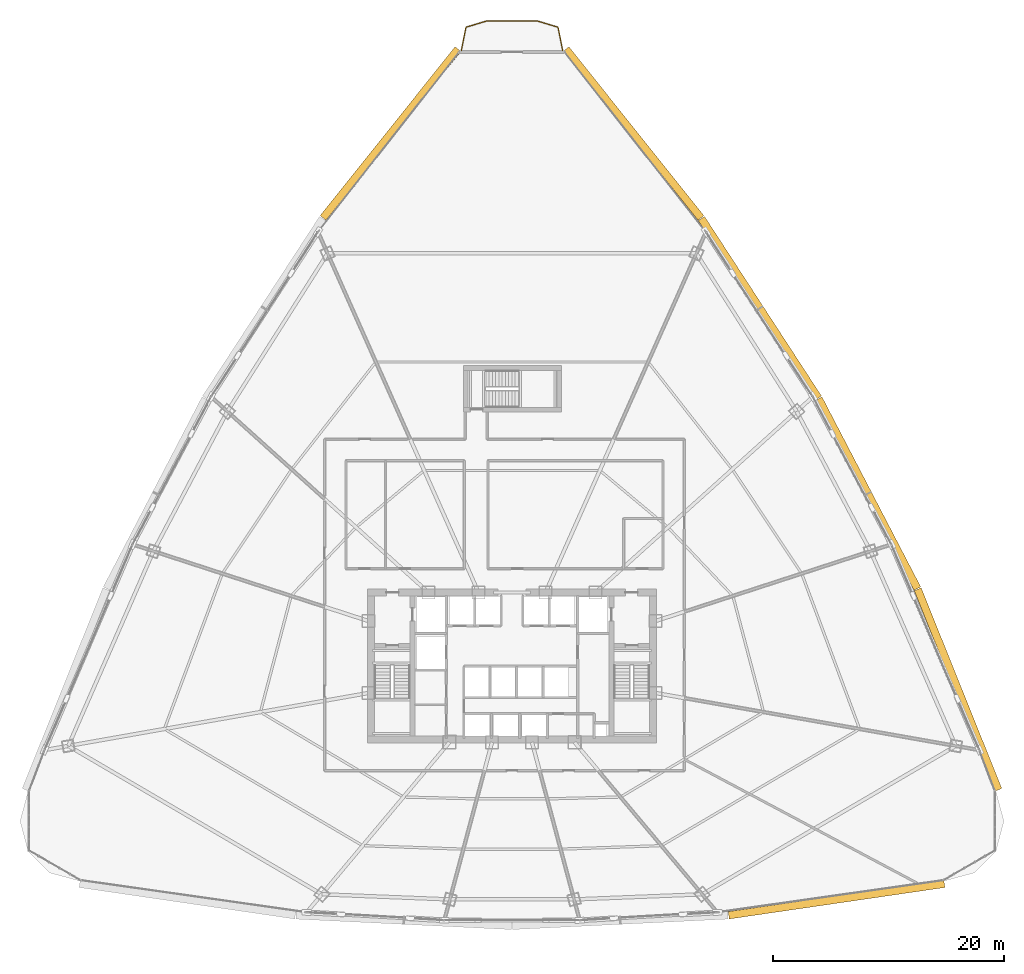
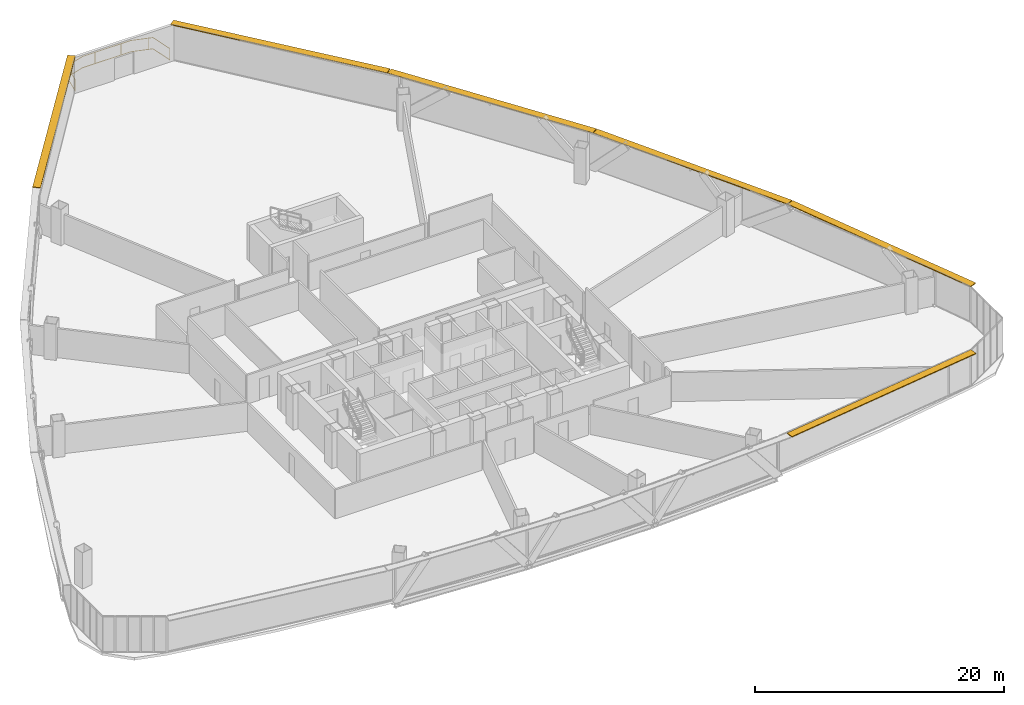
# One storey, part 39 of 39: 6 shading devices, 1 railing.
"""IFC4 building model written with IfcOpenShell, lengths in metres."""

import ifcopenshell
import ifcopenshell.guid

model = None  # the IFC model being written
_history = None  # IfcOwnerHistory: only IFC2X3 demands one
_inside = {}  # id of a spatial element -> (the spatial element, [elements in it])
_under = {}  # id of a project, library or spatial element -> (it, [spatial elements below it])
_declared = {}  # id of a project -> (the project, [libraries it declares])
_typed = {}  # id of a type object -> (the type object, [elements of that type])
_made_of = {}  # id of a material, layer set ... -> (it, [elements and type objects made of it])


def new_model(schema):
    """Start an empty IFC model of exactly this schema.

    Asked for "IFC4X3", IfcOpenShell would pick the latest addendum, in which some entities
    have other attributes; the version numbers below select the first issue.
    IFC2X3 requires an IfcOwnerHistory on every rooted entity: one is made here for all.
    """
    global model, _history
    if schema == "IFC4X3":
        model = ifcopenshell.file(schema_version=(4, 3, 0, 0))
    else:
        model = ifcopenshell.file(schema=schema)
    _inside.clear()
    _under.clear()
    _declared.clear()
    _typed.clear()
    _made_of.clear()
    _history = None
    if model.schema == "IFC2X3":
        org = make("IfcOrganization", Name="unknown")
        user = make(
            "IfcPersonAndOrganization",
            ThePerson=make("IfcPerson", FamilyName="unknown"),
            TheOrganization=org,
        )
        app = make(
            "IfcApplication",
            ApplicationDeveloper=org,
            Version="unknown",
            ApplicationFullName="unknown",
            ApplicationIdentifier="unknown",
        )
        _history = make(
            "IfcOwnerHistory",
            OwningUser=user,
            OwningApplication=app,
            ChangeAction="ADDED",
            CreationDate=0,
        )
    return model


def make(cls, **values):
    """One entity of the class cls with the attributes given. An attribute that is None is left unset."""
    return model.create_entity(
        cls, **{name: value for name, value in values.items() if value is not None}
    )


def rooted(cls, **values):
    """An entity with a GlobalId (a new one), such as an element, a storey or a relation."""
    return make(cls, GlobalId=ifcopenshell.guid.new(), OwnerHistory=_history, **values)


def si_unit(unit_type, name, prefix=None):
    """IfcSIUnit, for example si_unit("LENGTHUNIT", "METRE", prefix="MILLI")."""
    return make("IfcSIUnit", UnitType=unit_type, Prefix=prefix, Name=name)


def assignment(units):
    """IfcUnitAssignment: the units of a project."""
    return None if units is None else make("IfcUnitAssignment", Units=units)


def point(xyz):
    """IfcCartesianPoint."""
    return None if xyz is None else make("IfcCartesianPoint", Coordinates=xyz)


def direction(xyz):
    """IfcDirection."""
    return None if xyz is None else make("IfcDirection", DirectionRatios=xyz)


def frame(location, z_axis=None, x_axis=None):
    """IfcAxis2Placement3D, a coordinate frame: its origin and axes. An axis left out is left unset."""
    return make(
        "IfcAxis2Placement3D",
        Location=point(location),
        Axis=direction(z_axis),
        RefDirection=direction(x_axis),
    )


def frame_2d(location, x_axis=None):
    """IfcAxis2Placement2D, a coordinate frame in the plane: its origin and x axis."""
    return make(
        "IfcAxis2Placement2D", Location=point(location), RefDirection=direction(x_axis)
    )


def origin():
    """The frame at (0, 0, 0) with its axes left unset."""
    return frame((0.0, 0.0, 0.0))


def origin_2d():
    """The frame at (0, 0) in the plane with its x axis left unset."""
    return frame_2d((0.0, 0.0))


def place(relative_to, where):
    """IfcLocalPlacement: puts the frame where relative to a parent placement (None: the world)."""
    return make(
        "IfcLocalPlacement", PlacementRelTo=relative_to, RelativePlacement=where
    )


def context(
    kind, dimensions, precision=None, world=None, true_north=None, identifier=None
):
    """IfcGeometricRepresentationContext, for example the 3D "Model" context."""
    return make(
        "IfcGeometricRepresentationContext",
        ContextIdentifier=identifier,
        ContextType=kind,
        CoordinateSpaceDimension=dimensions,
        Precision=precision,
        WorldCoordinateSystem=world,
        TrueNorth=true_north,
    )


def subcontext(parent, identifier, kind, view, scale=None):
    """IfcGeometricRepresentationSubContext, for example "Body" below "Model"."""
    return make(
        "IfcGeometricRepresentationSubContext",
        ContextIdentifier=identifier,
        ContextType=kind,
        ParentContext=parent,
        TargetScale=scale,
        TargetView=view,
    )


def project(units=None, contexts=None):
    """IfcProject with its units and contexts."""
    return rooted(
        "IfcProject",
        Name="project",
        RepresentationContexts=contexts,
        UnitsInContext=assignment(units),
    )


def spatial(cls, under=None, at=None, **own):
    """A site, building, storey or space (cls), placed at a placement, below another one or the project."""
    s = rooted(cls, ObjectPlacement=at, **own)
    if under is not None:
        _under.setdefault(under.id(), (under, []))[1].append(s)
    return s


def profile(cls, at=None, kind="AREA", **sizes):
    """A parametric profile (cls). Its sizes go by their IFC names, for example OverallWidth=200.0."""
    return make(cls, ProfileType=kind, Position=at, **sizes)


def rectangle(**sizes):
    """IfcRectangleProfileDef."""
    return profile("IfcRectangleProfileDef", **sizes)


def extrude(swept, where, along, depth):
    """IfcExtrudedAreaSolid: the profile swept, set in the frame where, extruded along a direction by depth."""
    return make(
        "IfcExtrudedAreaSolid",
        SweptArea=swept,
        Position=where,
        ExtrudedDirection=direction(along),
        Depth=depth,
    )


def shape(context_of_items, identifier, shape_type, items):
    """IfcShapeRepresentation: the items that make up one representation, for example the "Body"."""
    return make(
        "IfcShapeRepresentation",
        ContextOfItems=context_of_items,
        RepresentationIdentifier=identifier,
        RepresentationType=shape_type,
        Items=items,
    )


def source(mapping_origin, context_of_items, identifier, shape_type, items):
    """IfcRepresentationMap: a shape defined once, which mapped items show again and again."""
    return make(
        "IfcRepresentationMap",
        MappingOrigin=mapping_origin,
        MappedRepresentation=shape(context_of_items, identifier, shape_type, items),
    )


def transform(
    local_origin,
    x_axis=None,
    y_axis=None,
    z_axis=None,
    scale=None,
    scale2=None,
    scale3=None,
    uniform=True,
):
    """IfcCartesianTransformationOperator3D, or its non-uniform kind. x_axis, y_axis, z_axis: its Axis1, 2, 3."""
    if uniform:
        return make(
            "IfcCartesianTransformationOperator3D",
            Axis1=direction(x_axis),
            Axis2=direction(y_axis),
            LocalOrigin=point(local_origin),
            Scale=scale,
            Axis3=direction(z_axis),
        )
    return make(
        "IfcCartesianTransformationOperator3DnonUniform",
        Axis1=direction(x_axis),
        Axis2=direction(y_axis),
        LocalOrigin=point(local_origin),
        Scale=scale,
        Axis3=direction(z_axis),
        Scale2=scale2,
        Scale3=scale3,
    )


def mapped(mapping_source, mapping_target):
    """IfcMappedItem: shows the shape of a source again, moved by a transform."""
    return make(
        "IfcMappedItem", MappingSource=mapping_source, MappingTarget=mapping_target
    )


def material(Name=None, Category=None):
    """IfcMaterial."""
    return make("IfcMaterial", Name=Name, Category=Category)


def layer(
    of_material, thickness, ventilated=None, Name=None, Category=None, Priority=None
):
    """IfcMaterialLayer: one layer of a wall or slab, of a material (None: an air gap)."""
    return make(
        "IfcMaterialLayer",
        Material=of_material,
        LayerThickness=thickness,
        IsVentilated=ventilated,
        Name=Name,
        Category=Category,
        Priority=Priority,
    )


def layer_set(layers, Name=None):
    """IfcMaterialLayerSet."""
    return make("IfcMaterialLayerSet", MaterialLayers=layers, LayerSetName=Name)


def made_of(thing, what):
    """Note that an element or type object is made of a material, layer set ...; save() writes the relation."""
    if what is not None:
        _made_of.setdefault(what.id(), (what, []))[1].append(thing)
    return thing


def type_object(cls, material=None, **own):
    """A type object (cls), such as IfcWallType, which elements share."""
    return made_of(rooted(cls, **own), material)


def element(
    cls,
    number,
    at=None,
    inside=None,
    cuts=None,
    type_object=None,
    material=None,
    context=None,
    identifier="Body",
    shape_type=None,
    held_by="IfcProductDefinitionShape",
    body=None,
    shapes=None,
    **own,
):
    """One element of the class cls, such as IfcWall. Its Tag is "e" and its number.

    at: its placement. inside: the storey or other place that contains it. cuts: it is an
    opening in that element (IfcRelVoidsElement). A single representation is given by context,
    identifier, shape_type and body (its items); several are given by shapes. held_by: the class
    of the entity that holds the representations. save() writes the other relations.
    """
    e = rooted(cls, Tag="e%d" % number, ObjectPlacement=at, **own)
    if body is not None:
        shapes = [shape(context, identifier, shape_type, body)]
    if shapes is not None:
        e.Representation = make(held_by, Representations=shapes)
    if inside is not None:
        _inside.setdefault(inside.id(), (inside, []))[1].append(e)
    if cuts is not None:
        rooted(
            "IfcRelVoidsElement", RelatingBuildingElement=cuts, RelatedOpeningElement=e
        )
    if type_object is not None:
        _typed.setdefault(type_object.id(), (type_object, []))[1].append(e)
    return made_of(e, material)


def aggregate(whole, parts):
    """IfcRelAggregates: a whole, such as a stair, and the parts it consists of."""
    return rooted("IfcRelAggregates", RelatingObject=whole, RelatedObjects=parts)


def save(model, path):
    """Write the relations noted so far, then the file.

    IfcRelAggregates (storeys below a building ...), IfcRelContainedInSpatialStructure (elements
    in a storey), IfcRelDefinesByType, IfcRelAssociatesMaterial and IfcRelDeclares: one each for
    every whole, place, type object, material and project.
    """
    for whole, parts in _under.values():
        aggregate(whole, parts)
    for where, things in _inside.values():
        rooted(
            "IfcRelContainedInSpatialStructure",
            RelatedElements=things,
            RelatingStructure=where,
        )
    for kind, things in _typed.values():
        rooted("IfcRelDefinesByType", RelatedObjects=things, RelatingType=kind)
    for what, things in _made_of.values():
        rooted("IfcRelAssociatesMaterial", RelatedObjects=things, RelatingMaterial=what)
    for by, libraries in _declared.values():
        rooted("IfcRelDeclares", RelatingContext=by, RelatedDefinitions=libraries)
    model.write(path)


model = new_model("IFC4")

# Units and contexts
model_context = context("Model", 3, precision=1e-05, world=origin(), true_north=direction((0.0, 1.0)))
body_context = subcontext(model_context, "Body", "Model", "MODEL_VIEW")
ifc_project = project(units=[si_unit("LENGTHUNIT", "METRE"), si_unit("AREAUNIT", "SQUARE_METRE"), si_unit("VOLUMEUNIT", "CUBIC_METRE"), si_unit("PLANEANGLEUNIT", "RADIAN"), si_unit("MASSUNIT", "GRAM", prefix="KILO"), si_unit("THERMODYNAMICTEMPERATUREUNIT", "KELVIN"), si_unit("POWERUNIT", "WATT")], contexts=[model_context])

# Site, building, storey
site_placement = place(None, origin())
site = spatial("IfcSite", under=ifc_project, at=site_placement, CompositionType="ELEMENT")
building_placement = place(site_placement, origin())
building = spatial("IfcBuilding", under=site, at=building_placement, Name="Yunzhuo Pagoda Commons", CompositionType="ELEMENT")
storey_placement = place(building_placement, frame((0.0, 0.0, 96.3798828125)))
storey = spatial("IfcBuildingStorey", under=building, at=storey_placement, Name="L24", CompositionType="ELEMENT", Elevation=96.3798828125)

# Railing
ifc_material = material(Name="Anodized aluminium 6063-T6", Category="aluminium")
railing_type = type_object("IfcRailingType", Name="RL-BAL1 Exterior Terrace & Balcony Balustrade 1150", PredefinedType="BALUSTRADE", material=ifc_material)
railing_placement = place(storey_placement, frame((52.38232421875, 87.034912109375, 0.0)))
element("IfcRailing", 1, at=railing_placement, inside=storey, type_object=railing_type, Name="L24 corner balcony balustrade V3", PredefinedType="BALUSTRADE", context=body_context, shape_type="SweptSolid", body=[
    extrude(rectangle(XDim=0.048095703125, YDim=0.048095703125, at=origin_2d()), frame((0.0, 0.0, 1.1259765625), z_axis=(-0.194223156668, 0.980957371864, 0.0), x_axis=(-0.980957371864, -0.194223156668, 0.0)), (0.0, 0.0, 1.0), 2.05908203125),
    extrude(rectangle(XDim=0.048095703125, YDim=0.048095703125, at=origin_2d()), frame((0.0, 0.0, 0.02392578125), z_axis=(-0.194223156668, 0.980957371864, 0.0), x_axis=(-0.980957371864, -0.194223156668, 0.0)), (0.0, 0.0, 1.0), 2.05908203125),
    extrude(rectangle(XDim=0.048095703125, YDim=0.048095703125, at=origin_2d()), frame((-0.39990234375, 2.019775390625, 1.1259765625), z_axis=(-0.957121984822, 0.289685184588, 0.0), x_axis=(-0.289685184588, -0.957121984822, 0.0)), (0.0, 0.0, 1.0), 1.82958984375),
    extrude(rectangle(XDim=0.048095703125, YDim=0.048095703125, at=origin_2d()), frame((-0.39990234375, 2.019775390625, 0.02392578125), z_axis=(-0.957121984822, 0.289685184588, 0.0), x_axis=(-0.289685184588, -0.957121984822, 0.0)), (0.0, 0.0, 1.0), 1.82958984375),
    extrude(rectangle(XDim=0.048095703125, YDim=0.048095703125, at=origin_2d()), frame((-2.151123046875, 2.5498046875, 1.1259765625), z_axis=(-1.0, 0.0, 0.0), x_axis=(0.0, -1.0, 0.0)), (0.0, 0.0, 1.0), 4.46240234375),
    extrude(rectangle(XDim=0.048095703125, YDim=0.048095703125, at=origin_2d()), frame((-2.151123046875, 2.5498046875, 0.02392578125), z_axis=(-1.0, 0.0, 0.0), x_axis=(0.0, -1.0, 0.0)), (0.0, 0.0, 1.0), 4.46240234375),
    extrude(rectangle(XDim=0.048095703125, YDim=0.048095703125, at=origin_2d()), frame((-6.613525390625, 2.5498046875, 1.1259765625), z_axis=(-0.957121984822, -0.289685184588, 0.0), x_axis=(0.289685184588, -0.957121984822, 0.0)), (0.0, 0.0, 1.0), 1.82958984375),
    extrude(rectangle(XDim=0.048095703125, YDim=0.048095703125, at=origin_2d()), frame((-6.613525390625, 2.5498046875, 0.02392578125), z_axis=(-0.957121984822, -0.289685184588, 0.0), x_axis=(0.289685184588, -0.957121984822, 0.0)), (0.0, 0.0, 1.0), 1.82958984375),
    extrude(rectangle(XDim=0.048095703125, YDim=0.048095703125, at=origin_2d()), frame((-8.36474609375, 2.019775390625, 1.1259765625), z_axis=(-0.194223156668, -0.980957371864, 0.0), x_axis=(0.980957371864, -0.194223156668, 0.0)), (0.0, 0.0, 1.0), 2.05908203125),
    extrude(rectangle(XDim=0.048095703125, YDim=0.048095703125, at=origin_2d()), frame((-8.36474609375, 2.019775390625, 0.02392578125), z_axis=(-0.194223156668, -0.980957371864, 0.0), x_axis=(0.980957371864, -0.194223156668, 0.0)), (0.0, 0.0, 1.0), 2.05908203125),
    extrude(rectangle(XDim=0.0419921875, YDim=0.0419921875, at=origin_2d()), origin(), (0.0, 0.0, 1.0), 1.101806640625),
    extrude(rectangle(XDim=0.0419921875, YDim=0.0419921875, at=origin_2d()), frame((-0.726318359375, 2.11865234375, 0.0)), (0.0, 0.0, 1.0), 1.101806640625),
    extrude(rectangle(XDim=0.0419921875, YDim=0.0419921875, at=origin_2d()), frame((-3.0625, 2.5498046875, 0.0)), (0.0, 0.0, 1.0), 1.101806640625),
    extrude(rectangle(XDim=0.0419921875, YDim=0.0419921875, at=origin_2d()), frame((-5.46240234375, 2.5498046875, 0.0)), (0.0, 0.0, 1.0), 1.101806640625),
    extrude(rectangle(XDim=0.0419921875, YDim=0.0419921875, at=origin_2d()), frame((-7.808837890625, 2.18798828125, 0.0)), (0.0, 0.0, 1.0), 1.101806640625),
    extrude(rectangle(XDim=0.0419921875, YDim=0.0419921875, at=origin_2d()), frame((-8.718017578125, 0.235107421875, 0.0)), (0.0, 0.0, 1.0), 1.101806640625),
    extrude(rectangle(XDim=0.0419921875, YDim=0.0419921875, at=origin_2d()), frame((-8.7646484375, 0.0, 0.0)), (0.0, 0.0, 1.0), 1.101806640625),
])

# Shading devices
ifc_layer = layer(ifc_material, 0.080078125)
ifc_layer_set = layer_set([ifc_layer], Name="Anodized aluminium 6063-T6")
shading_device_type = type_object("IfcShadingDeviceType", Name="SH-SUN1 Pagoda Horizontal Sunshade Eave 650", PredefinedType="USERDEFINED", material=ifc_layer_set)
shared_shape_1 = source(origin(), body_context, "Body", "SweptSolid", [
    extrude(rectangle(XDim=18.838134765625, YDim=0.64990234375, at=origin_2d()), origin(), (0.0, 0.0, 1.0), 0.080078125),
])
shading_device_placement = place(storey_placement, frame((76.054931640625, 13.65966796875, 3.4599609375), z_axis=(0.0, 0.0, 1.0), x_axis=(0.989510666697, 0.144459823108, 0.0)))
element("IfcShadingDevice", 2, at=shading_device_placement, inside=storey, type_object=shading_device_type, Name="L24 horizontal pagoda sunshade eave F1.4", ObjectType="SUNSHADE", PredefinedType="USERDEFINED", context=body_context, shape_type="MappedRepresentation", body=[
    mapped(shared_shape_1, transform((0.0, 0.0, 0.0), scale=1.0)),
])
shared_shape_2 = source(origin(), body_context, "Body", "SweptSolid", [
    extrude(rectangle(XDim=18.686767578125, YDim=0.64990234375, at=origin_2d()), origin(), (0.0, 0.0, 1.0), 0.080078125),
])
for number, where, z_axis, x_axis, name in (
    (3, (86.552978515625, 31.809814453125, 3.4599609375), (0.0, 0.0, 1.0), (-0.372987782576, 0.927836253899, 0.0), "L24 horizontal pagoda sunshade eave F2.1"),
    (4, (58.497314453125, 79.871826171875, 3.4599609375), (0.0, 0.0, 1.0), (-0.624520471688, 0.781008438138, 0.0), "L24 horizontal pagoda sunshade eave F2.4"),
    (5, (37.502685546875, 79.871826171875, 3.4599609375), (0.0, 0.0, 1.0), (-0.624520471688, -0.781008438138, 0.0), "L24 horizontal pagoda sunshade eave F3.1"),
):
    element("IfcShadingDevice", number, at=place(storey_placement, frame(where, z_axis=z_axis, x_axis=x_axis)), inside=storey, type_object=shading_device_type, Name=name, ObjectType="SUNSHADE", PredefinedType="USERDEFINED", context=body_context, shape_type="MappedRepresentation", body=[
        mapped(shared_shape_2, transform((0.0, 0.0, 0.0), scale=1.0)),
    ])
shared_shape_3 = source(origin(), body_context, "Body", "SweptSolid", [
    extrude(rectangle(XDim=18.509521484375, YDim=0.64990234375, at=origin_2d()), origin(), (0.0, 0.0, 1.0), 0.080078125),
])
for number, where, z_axis, x_axis, name in (
    (6, (78.773193359375, 48.748046875, 3.4599609375), (0.0, 0.0, 1.0), (-0.461206683033, 0.88729273384, 0.0), "L24 horizontal pagoda sunshade eave F2.2"),
    (7, (69.421142578125, 64.768798828125, 3.4599609375), (0.0, 0.0, 1.0), (-0.545838756973, 0.837890238269, 0.0), "L24 horizontal pagoda sunshade eave F2.3"),
):
    element("IfcShadingDevice", number, at=place(storey_placement, frame(where, z_axis=z_axis, x_axis=x_axis)), inside=storey, type_object=shading_device_type, Name=name, ObjectType="SUNSHADE", PredefinedType="USERDEFINED", context=body_context, shape_type="MappedRepresentation", body=[
        mapped(shared_shape_3, transform((0.0, 0.0, 0.0), scale=1.0)),
    ])

save(model, "model.ifc")
